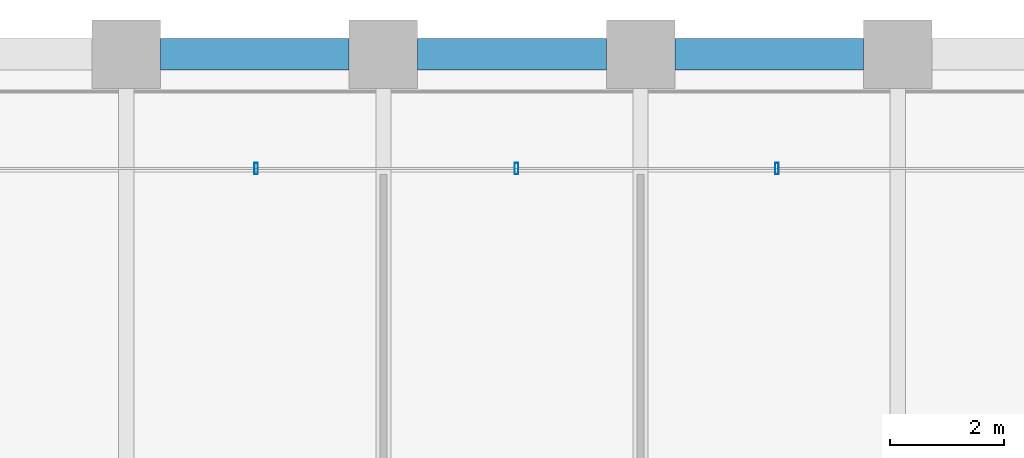
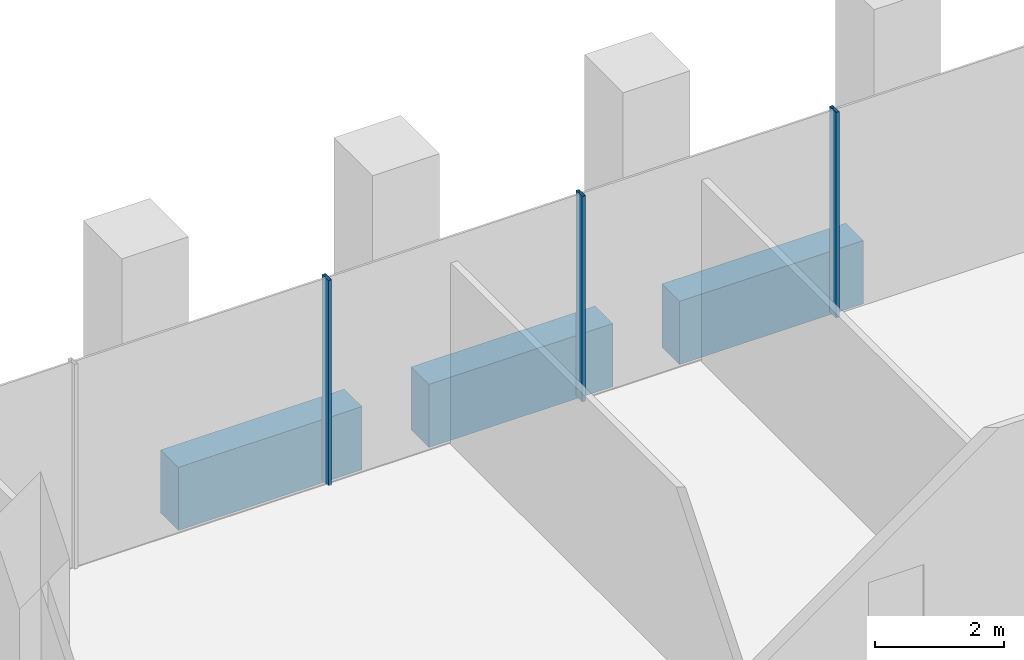
# One storey, part 16 of 36: 3 beams, 3 members, 1 element without a shape of its own.
"""IFC4 building model written with IfcOpenShell, lengths in metres."""

from ifc_helpers import new_model, si_unit, direction, frame, origin, origin_2d, place, context, subcontext, project, spatial, rectangle, hollow_rectangle, extrude, material, material_profile, profile_set, type_object, element, aggregate, save


model = new_model("IFC4")

# Units and contexts
model_context = context("Model", 3, precision=1e-05, world=origin(), true_north=direction((0.0, 1.0)))
body_context = subcontext(model_context, "Body", "Model", "MODEL_VIEW")
ifc_project = project(units=[si_unit("LENGTHUNIT", "METRE"), si_unit("AREAUNIT", "SQUARE_METRE"), si_unit("VOLUMEUNIT", "CUBIC_METRE"), si_unit("PLANEANGLEUNIT", "RADIAN"), si_unit("MASSUNIT", "GRAM", prefix="KILO")], contexts=[model_context])

# Site, building, storey
site_placement = place(None, origin())
site = spatial("IfcSite", under=ifc_project, at=site_placement, CompositionType="ELEMENT")
building_placement = place(site_placement, origin())
building = spatial("IfcBuilding", under=site, at=building_placement, Name="Altepetl Exchange Towers", CompositionType="ELEMENT")
storey_placement = place(building_placement, frame((0.0, 0.0, 34.199951171875)))
storey = spatial("IfcBuildingStorey", under=building, at=storey_placement, Name="L07", CompositionType="ELEMENT", Elevation=34.199951171875)

# Curtain wall, members
ifc_material_1 = material(Name="Aluminium 6063-T6 glazing", Category="aluminium")
curtain_wall_type = type_object("IfcCurtainWallType", Name="Trading floor glazing system", PredefinedType="NOTDEFINED", material=ifc_material_1)
curtain_wall_placement = place(storey_placement, origin())
curtain_wall = element("IfcCurtainWall", 1, at=curtain_wall_placement, inside=storey, type_object=curtain_wall_type, Name="CW2 run", PredefinedType="NOTDEFINED")
ifc_material_2 = material(Name="Aluminium 6063-T6", Category="aluminium")
ifc_material_profile_1 = material_profile(ifc_material_2, hollow_rectangle(XDim=0.06005859375, YDim=0.199951171875, WallThickness=0.0029296875, at=origin_2d()), Name="Mullion 60x200 aluminium")
ifc_profile_set_1 = profile_set([ifc_material_profile_1], Name="Aluminium 6063-T6")
member_type = type_object("IfcMemberType", Name="Mullion 60x200 aluminium", PredefinedType="MULLION", material=ifc_profile_set_1)
member_1_placement = place(storey_placement, frame((56.3857421875, 70.0, 0.0), z_axis=(0.0, 0.0, 1.0), x_axis=(-1.0, 0.0, 0.0)))
member_1 = element("IfcMember", 2, at=member_1_placement, type_object=member_type, Name="MU2 mullion", PredefinedType="MULLION", context=body_context, shape_type="SweptSolid", body=[
    extrude(hollow_rectangle(XDim=0.06005859375, YDim=0.199951171875, WallThickness=0.0029296875, at=origin_2d()), origin(), (0.0, 0.0, 1.0), 3.900146484375),
])
member_2_placement = place(storey_placement, frame((51.82861328125, 70.0, 0.0), z_axis=(0.0, 0.0, 1.0), x_axis=(-1.0, 0.0, 0.0)))
member_2 = element("IfcMember", 3, at=member_2_placement, type_object=member_type, Name="MU2 mullion", PredefinedType="MULLION", context=body_context, shape_type="SweptSolid", body=[
    extrude(hollow_rectangle(XDim=0.06005859375, YDim=0.199951171875, WallThickness=0.0029296875, at=origin_2d()), origin(), (0.0, 0.0, 1.0), 3.900146484375),
])
member_3_placement = place(storey_placement, frame((47.271484375, 70.0, 0.0), z_axis=(0.0, 0.0, 1.0), x_axis=(-1.0, 0.0, 0.0)))
member_3 = element("IfcMember", 4, at=member_3_placement, type_object=member_type, Name="MU2 mullion", PredefinedType="MULLION", context=body_context, shape_type="SweptSolid", body=[
    extrude(hollow_rectangle(XDim=0.06005859375, YDim=0.199951171875, WallThickness=0.0029296875, at=origin_2d()), origin(), (0.0, 0.0, 1.0), 3.900146484375),
])
aggregate(curtain_wall, [member_1, member_2, member_3])

# Beams
ifc_material_3 = material(Name="Concrete C50/60 precast with cantera rosa facing", Category="concrete")
ifc_material_profile_2 = material_profile(ifc_material_3, rectangle(XDim=0.550048828125, YDim=1.199951171875, at=origin_2d()), Name="550 x 1200")
ifc_profile_set_2 = profile_set([ifc_material_profile_2], Name="Concrete C50/60 precast with cantera rosa facing")
beam_type = type_object("IfcBeamType", Name="Spandrel beam 550x1200 cantera rosa", PredefinedType="SPANDREL", material=ifc_profile_set_2)
for number, where, z_axis, x_axis, name in (
    (5, (57.89990234375, 72.0, -0.77490234375), (-1.0, 0.0, 0.0), (0.0, -1.0, 0.0), "sp:A:L07:026"),
    (6, (53.39990234375, 72.0, -0.77490234375), (-1.0, 0.0, 0.0), (0.0, -1.0, 0.0), "sp:A:L07:027"),
    (7, (48.89990234375, 72.0, -0.77490234375), (-1.0, 0.0, 0.0), (0.0, -1.0, 0.0), "sp:A:L07:028"),
):
    element("IfcBeam", number, at=place(storey_placement, frame(where, z_axis=z_axis, x_axis=x_axis)), inside=storey, type_object=beam_type, Name=name, PredefinedType="SPANDREL", context=body_context, shape_type="SweptSolid", body=[
        extrude(rectangle(XDim=0.550048828125, YDim=1.199951171875, at=origin_2d()), origin(), (0.0, 0.0, 1.0), 3.2998046875),
    ])

save(model, "model.ifc")
